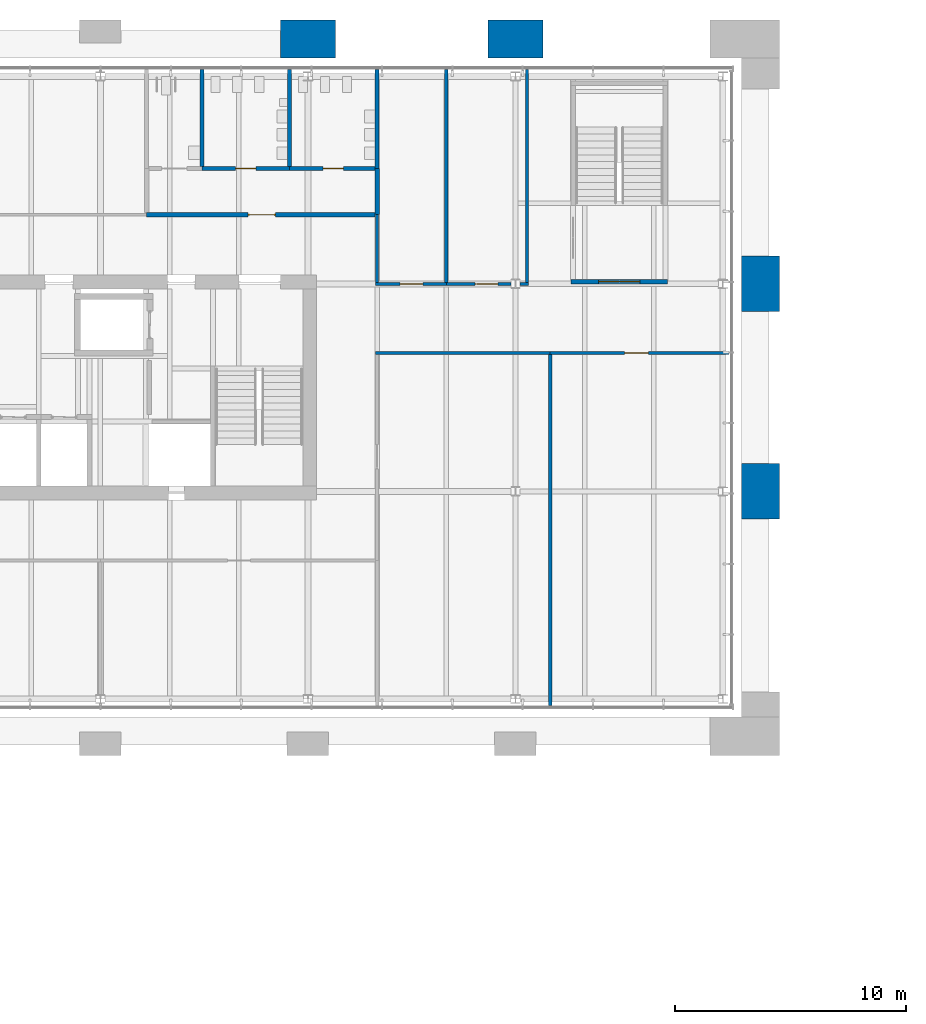
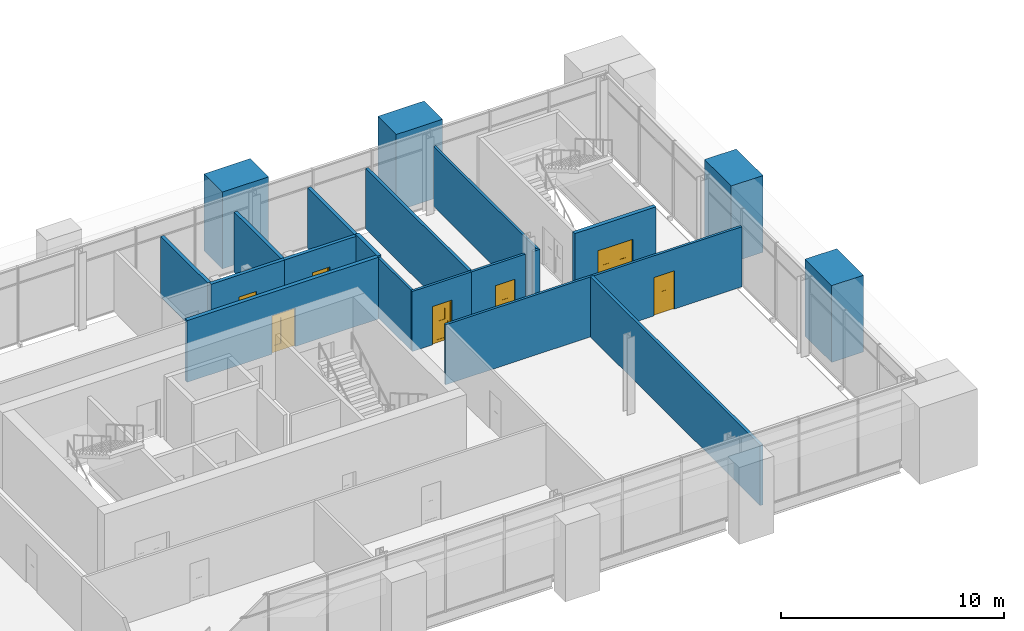
# One storey, part 25 of 43: 21 walls, 7 doors, 7 openings.
"""IFC4 building model written with IfcOpenShell, lengths in metres."""

from ifc_helpers import new_model, si_unit, direction, frame, frame_2d, origin, place, context, subcontext, project, spatial, polyline, rectangle, outline, extrude, material, layer, layer_set, type_object, element, fill, save


model = new_model("IFC4")

# Units and contexts
model_context = context("Model", 3, precision=1e-05, world=origin(), true_north=direction((0.0, 1.0)))
body_context = subcontext(model_context, "Body", "Model", "MODEL_VIEW")
ifc_project = project(units=[si_unit("LENGTHUNIT", "METRE"), si_unit("AREAUNIT", "SQUARE_METRE"), si_unit("VOLUMEUNIT", "CUBIC_METRE"), si_unit("PLANEANGLEUNIT", "RADIAN"), si_unit("MASSUNIT", "GRAM", prefix="KILO")], contexts=[model_context])

# Site, building, storey
site_placement = place(None, origin())
site = spatial("IfcSite", under=ifc_project, at=site_placement, CompositionType="ELEMENT")
building_placement = place(site_placement, origin())
building = spatial("IfcBuilding", under=site, at=building_placement, Name="Baradari Gate Terminus", CompositionType="ELEMENT")
storey_placement = place(building_placement, frame((0.0, 0.0, 20.10009765625)))
storey = spatial("IfcBuildingStorey", under=building, at=storey_placement, Name="L04", CompositionType="ELEMENT", Elevation=20.10009765625)

# Wall, opening, door
ifc_material_1 = material(Name="Gypsum board")
ifc_layer_1 = layer(ifc_material_1, 0.125)
ifc_layer_set_1 = layer_set([ifc_layer_1], Name="Gypsum board")
wall_type_1 = type_object("IfcWallType", Name="Corridor partition PT-5 125 EI 30", PredefinedType="PARTITIONING", material=ifc_layer_set_1)
wall_1_placement = place(storey_placement, frame((63.27001953125, 132.0, 0.0), z_axis=(0.0, 0.0, 1.0), x_axis=(-1.0, 0.0, 0.0)))
wall_1 = element("IfcWall", 1, at=wall_1_placement, inside=storey, type_object=wall_type_1, Name="PT-5 partition Corridor / Meeting Room 2", PredefinedType="PARTITIONING", context=body_context, shape_type="SweptSolid", body=[
    extrude(rectangle(XDim=7.77001953125, YDim=0.125, at=frame_2d((3.885009765625, 0.0))), origin(), (0.0, 0.0, 1.0), 3.286865234375),
])
opening_1_placement = place(wall_1_placement, frame((3.4951171875, 0.0, 0.0)))
opening_1 = element("IfcOpeningElement", 2, at=opening_1_placement, cuts=wall_1, Name="Opening D04-025", PredefinedType="OPENING", context=body_context, shape_type="SweptSolid", body=[
    extrude(rectangle(XDim=1.050048828125, YDim=2.10009765625, at=frame_2d((0.52490234375, 1.050048828125))), frame((0.0, 0.072509765625, 0.0), z_axis=(0.0, -1.0, 0.0), x_axis=(1.0, 0.0, 0.0)), (0.0, 0.0, 1.0), 0.14501953125),
])
ifc_material_2 = material(Name="Steel S275", Category="steel")
door_type_1 = type_object("IfcDoorType", Name="Fire door FI-1050-FD30S 1050x2100 FD30S", OperationType="SINGLE_SWING_LEFT", PredefinedType="DOOR", material=ifc_material_2)
door_1_placement = place(opening_1_placement, origin())
door_1 = element("IfcDoor", 3, at=door_1_placement, inside=storey, type_object=door_type_1, Name="Door Meeting Room 2", OperationType="SINGLE_SWING_RIGHT", OverallHeight=2.1, OverallWidth=1.05, PredefinedType="DOOR", context=body_context, shape_type="SweptSolid", body=[
    extrude(outline(polyline([(0.0, 0.0), (0.070068359375, 0.0), (0.070068359375, 2.030029296875), (0.97998046875, 2.030029296875), (0.97998046875, 0.0), (1.050048828125, 0.0), (1.050048828125, 2.10009765625), (0.0, 2.10009765625), (0.0, 0.0)])), frame((0.0, 0.02490234375, 0.0), z_axis=(0.0, -1.0, 0.0), x_axis=(1.0, 0.0, 0.0)), (0.0, 0.0, 1.0), 0.050048828125),
    extrude(outline(polyline([(0.073974609375, 0.010009765625), (0.97607421875, 0.010009765625), (0.97607421875, 2.026123046875), (0.073974609375, 2.026123046875), (0.073974609375, 0.010009765625)]), holes=[polyline([(0.194091796875, 0.159912109375), (0.85595703125, 0.159912109375), (0.85595703125, 1.010009765625), (0.194091796875, 1.010009765625), (0.194091796875, 0.159912109375)]), polyline([(0.375, 1.159912109375), (0.675048828125, 1.159912109375), (0.675048828125, 1.760009765625), (0.375, 1.760009765625), (0.375, 1.159912109375)])]), frame((0.0, 0.017333984375, 0.0), z_axis=(0.0, -1.0, 0.0), x_axis=(1.0, 0.0, 0.0)), (0.0, 0.0, 1.0), 0.034912109375),
    extrude(rectangle(XDim=0.661865234375, YDim=0.85009765625, at=frame_2d((0.52490234375, 0.5849609375))), frame((0.0, 0.008544921875, 0.0), z_axis=(0.0, -1.0, 0.0), x_axis=(1.0, 0.0, 0.0)), (0.0, 0.0, 1.0), 0.017333984375),
    extrude(rectangle(XDim=0.300048828125, YDim=0.60009765625, at=frame_2d((0.52490234375, 1.4599609375))), frame((0.0, 0.005859375, 0.0), z_axis=(0.0, -1.0, 0.0), x_axis=(1.0, 0.0, 0.0)), (0.0, 0.0, 1.0), 0.011962890625),
])
fill(opening_1, door_1)

# Wall
wall_2_placement = place(storey_placement, frame((55.5, 132.0, 0.0), z_axis=(0.0, 0.0, 1.0), x_axis=(-1.0, 0.0, 0.0)))
element("IfcWall", 4, at=wall_2_placement, inside=storey, type_object=wall_type_1, Name="PT-5 partition Corridor / Meeting Room 1", PredefinedType="PARTITIONING", context=body_context, shape_type="SweptSolid", body=[
    extrude(rectangle(XDim=7.5625, YDim=0.125, at=frame_2d((3.78125, 0.0))), origin(), (0.0, 0.0, 1.0), 3.286865234375),
])

# Wall, opening, door
wall_3_placement = place(storey_placement, frame((51.0, 135.0, 0.0), z_axis=(0.0, 0.0, 1.0), x_axis=(1.0, 0.0, 0.0)))
wall_3 = element("IfcWall", 5, at=wall_3_placement, inside=storey, type_object=wall_type_1, Name="PT-5 partition Corridor / Stationery Store", PredefinedType="PARTITIONING", context=body_context, shape_type="SweptSolid", body=[
    extrude(rectangle(XDim=2.798583984375, YDim=0.125, at=frame_2d((1.3994140625, 0.0))), origin(), (0.0, 0.0, 1.0), 3.286865234375),
])
opening_2_placement = place(wall_3_placement, frame((1.25, 0.0, 0.0)))
opening_2 = element("IfcOpeningElement", 6, at=opening_2_placement, cuts=wall_3, Name="Opening D04-030", PredefinedType="OPENING", context=body_context, shape_type="SweptSolid", body=[
    extrude(rectangle(XDim=1.0, YDim=2.10009765625, at=frame_2d((0.5, 1.050048828125))), frame((0.0, 0.072509765625, 0.0), z_axis=(0.0, -1.0, 0.0), x_axis=(1.0, 0.0, 0.0)), (0.0, 0.0, 1.0), 0.14501953125),
])
ifc_material_3 = material(Name="Steel S275", Category="steel")
door_type_2 = type_object("IfcDoorType", Name="Fire door FI-1000-FD30S 1000x2100 FD30S", OperationType="SINGLE_SWING_LEFT", PredefinedType="DOOR", material=ifc_material_3)
door_2_placement = place(opening_2_placement, origin())
door_2 = element("IfcDoor", 7, at=door_2_placement, inside=storey, type_object=door_type_2, Name="Door Stationery Store", OperationType="SINGLE_SWING_LEFT", OverallHeight=2.1, OverallWidth=1.0, PredefinedType="DOOR", context=body_context, shape_type="SweptSolid", body=[
    extrude(outline(polyline([(0.0, 0.0), (0.070068359375, 0.0), (0.070068359375, 2.030029296875), (0.929931640625, 2.030029296875), (0.929931640625, 0.0), (1.0, 0.0), (1.0, 2.10009765625), (0.0, 2.10009765625), (0.0, 0.0)])), frame((0.0, 0.02490234375, 0.0), z_axis=(0.0, -1.0, 0.0), x_axis=(1.0, 0.0, 0.0)), (0.0, 0.0, 1.0), 0.050048828125),
    extrude(outline(polyline([(0.073974609375, 0.010009765625), (0.926025390625, 0.010009765625), (0.926025390625, 2.026123046875), (0.073974609375, 2.026123046875), (0.073974609375, 0.010009765625)]), holes=[polyline([(0.194091796875, 0.159912109375), (0.805908203125, 0.159912109375), (0.805908203125, 1.010009765625), (0.194091796875, 1.010009765625), (0.194091796875, 0.159912109375)]), polyline([(0.35009765625, 1.159912109375), (0.64990234375, 1.159912109375), (0.64990234375, 1.760009765625), (0.35009765625, 1.760009765625), (0.35009765625, 1.159912109375)])]), frame((0.0, 0.017333984375, 0.0), z_axis=(0.0, -1.0, 0.0), x_axis=(1.0, 0.0, 0.0)), (0.0, 0.0, 1.0), 0.034912109375),
    extrude(rectangle(XDim=0.61181640625, YDim=0.85009765625, at=frame_2d((0.5, 0.5849609375))), frame((0.0, 0.008544921875, 0.0), z_axis=(0.0, -1.0, 0.0), x_axis=(1.0, 0.0, 0.0)), (0.0, 0.0, 1.0), 0.017333984375),
    extrude(rectangle(XDim=0.2998046875, YDim=0.60009765625, at=frame_2d((0.5, 1.4599609375))), frame((0.0, 0.005859375, 0.0), z_axis=(0.0, -1.0, 0.0), x_axis=(1.0, 0.0, 0.0)), (0.0, 0.0, 1.0), 0.011962890625),
])
fill(opening_2, door_2)

# Walls
wall_4_placement = place(storey_placement, frame((54.201416015625, 135.0, 0.0), z_axis=(0.0, 0.0, 1.0), x_axis=(1.0, 0.0, 0.0)))
element("IfcWall", 8, at=wall_4_placement, inside=storey, type_object=wall_type_1, Name="PT-5 partition Corridor / Stationery Store", PredefinedType="PARTITIONING", context=body_context, shape_type="SweptSolid", body=[
    extrude(rectangle(XDim=0.361083984375, YDim=0.125, at=frame_2d((0.1806640625, 0.0))), origin(), (0.0, 0.0, 1.0), 3.286865234375),
])
wall_5_placement = place(storey_placement, frame((48.0, 138.0, 0.0), z_axis=(0.0, 0.0, 1.0), x_axis=(0.0, -1.0, 0.0)))
element("IfcWall", 9, at=wall_5_placement, inside=storey, type_object=wall_type_1, Name="PT-5 partition Corridor / Tea Point", PredefinedType="PARTITIONING", context=body_context, shape_type="SweptSolid", body=[
    extrude(rectangle(XDim=2.9375, YDim=0.125, at=frame_2d((1.46875, 0.0))), origin(), (0.0, 0.0, 1.0), 3.286865234375),
])

# Wall, opening, door
wall_6_placement = place(storey_placement, frame((47.9375, 135.0, 0.0), z_axis=(0.0, 0.0, 1.0), x_axis=(1.0, 0.0, 0.0)))
wall_6 = element("IfcWall", 10, at=wall_6_placement, inside=storey, type_object=wall_type_1, Name="PT-5 partition Corridor / Tea Point", PredefinedType="PARTITIONING", context=body_context, shape_type="SweptSolid", body=[
    extrude(rectangle(XDim=3.0625, YDim=0.125, at=frame_2d((1.53125, 0.0))), origin(), (0.0, 0.0, 1.0), 3.286865234375),
])
opening_3_placement = place(wall_6_placement, frame((1.0625, 0.0, 0.0)))
opening_3 = element("IfcOpeningElement", 11, at=opening_3_placement, cuts=wall_6, Name="Opening D04-029", PredefinedType="OPENING", context=body_context, shape_type="SweptSolid", body=[
    extrude(rectangle(XDim=1.0, YDim=2.10009765625, at=frame_2d((0.5, 1.050048828125))), frame((0.0, 0.072509765625, 0.0), z_axis=(0.0, -1.0, 0.0), x_axis=(1.0, 0.0, 0.0)), (0.0, 0.0, 1.0), 0.14501953125),
])
door_3_placement = place(opening_3_placement, origin())
door_3 = element("IfcDoor", 12, at=door_3_placement, inside=storey, type_object=door_type_2, Name="Door Tea Point", OperationType="SINGLE_SWING_LEFT", OverallHeight=2.1, OverallWidth=1.0, PredefinedType="DOOR", context=body_context, shape_type="SweptSolid", body=[
    extrude(outline(polyline([(0.0, 0.0), (0.070068359375, 0.0), (0.070068359375, 2.030029296875), (0.929931640625, 2.030029296875), (0.929931640625, 0.0), (1.0, 0.0), (1.0, 2.10009765625), (0.0, 2.10009765625), (0.0, 0.0)])), frame((0.0, 0.02490234375, 0.0), z_axis=(0.0, -1.0, 0.0), x_axis=(1.0, 0.0, 0.0)), (0.0, 0.0, 1.0), 0.050048828125),
    extrude(outline(polyline([(0.073974609375, 0.010009765625), (0.926025390625, 0.010009765625), (0.926025390625, 2.026123046875), (0.073974609375, 2.026123046875), (0.073974609375, 0.010009765625)]), holes=[polyline([(0.194091796875, 0.159912109375), (0.805908203125, 0.159912109375), (0.805908203125, 1.010009765625), (0.194091796875, 1.010009765625), (0.194091796875, 0.159912109375)]), polyline([(0.35009765625, 1.159912109375), (0.64990234375, 1.159912109375), (0.64990234375, 1.760009765625), (0.35009765625, 1.760009765625), (0.35009765625, 1.159912109375)])]), frame((0.0, 0.017333984375, 0.0), z_axis=(0.0, -1.0, 0.0), x_axis=(1.0, 0.0, 0.0)), (0.0, 0.0, 1.0), 0.034912109375),
    extrude(rectangle(XDim=0.61181640625, YDim=0.85009765625, at=frame_2d((0.5, 0.5849609375))), frame((0.0, 0.008544921875, 0.0), z_axis=(0.0, -1.0, 0.0), x_axis=(1.0, 0.0, 0.0)), (0.0, 0.0, 1.0), 0.017333984375),
    extrude(rectangle(XDim=0.2998046875, YDim=0.60009765625, at=frame_2d((0.5, 1.4599609375))), frame((0.0, 0.005859375, 0.0), z_axis=(0.0, -1.0, 0.0), x_axis=(1.0, 0.0, 0.0)), (0.0, 0.0, 1.0), 0.011962890625),
])
fill(opening_3, door_3)

# Wall
wall_7_placement = place(storey_placement, frame((54.5, 135.0625, 0.0), z_axis=(0.0, 0.0, 1.0), x_axis=(0.0, 1.0, 0.0)))
element("IfcWall", 13, at=wall_7_placement, inside=storey, type_object=wall_type_1, Name="PT-5 partition Corridor (Stair Passage) / Stationery Store", PredefinedType="PARTITIONING", context=body_context, shape_type="SweptSolid", body=[
    extrude(rectangle(XDim=9.232421875, YDim=0.125, at=frame_2d((4.6162109375, 0.0))), origin(), (0.0, 0.0, 1.0), 3.286865234375),
])

# Wall, opening, door
ifc_material_4 = material(Name="Blockwork wall, plastered, fire rated", Category="masonry")
ifc_layer_2 = layer(ifc_material_4, 0.199951171875)
ifc_layer_set_2 = layer_set([ifc_layer_2], Name="Blockwork wall, plastered, fire rated")
wall_type_2 = type_object("IfcWallType", Name="Lobby partition PT-4 200 EI 60", PredefinedType="PARTITIONING", material=ifc_layer_set_2)
wall_8_placement = place(storey_placement, frame((38.0, 138.0, 0.0), z_axis=(0.0, 0.0, 1.0), x_axis=(1.0, 0.0, 0.0)))
wall_8 = element("IfcWall", 14, at=wall_8_placement, inside=storey, type_object=wall_type_2, Name="PT-4 partition Corridor / WC Lobby", PredefinedType="PARTITIONING", context=body_context, shape_type="SweptSolid", body=[
    extrude(rectangle(XDim=9.89990234375, YDim=0.199951171875, at=frame_2d((4.949951171875, 0.0))), origin(), (0.0, 0.0, 1.0), 3.3818359375),
])
opening_4_placement = place(wall_8_placement, frame((4.39990234375, 0.0, 0.0)))
opening_4 = element("IfcOpeningElement", 15, at=opening_4_placement, cuts=wall_8, Name="Opening D04-015", PredefinedType="OPENING", context=body_context, shape_type="SweptSolid", body=[
    extrude(rectangle(XDim=1.199951171875, YDim=2.10009765625, at=frame_2d((0.60009765625, 1.050048828125))), frame((0.0, 0.10986328125, 0.0), z_axis=(0.0, -1.0, 0.0), x_axis=(1.0, 0.0, 0.0)), (0.0, 0.0, 1.0), 0.219970703125),
])
ifc_material_5 = material(Name="Steel S275", Category="steel")
door_type_3 = type_object("IfcDoorType", Name="Fire door FI-1200-FD60S 1200x2100 FD60S", OperationType="DOUBLE_DOOR_SINGLE_SWING", PredefinedType="DOOR", material=ifc_material_5)
door_4_placement = place(opening_4_placement, origin())
door_4 = element("IfcDoor", 16, at=door_4_placement, inside=storey, type_object=door_type_3, Name="Door WC Lobby", OperationType="DOUBLE_DOOR_SINGLE_SWING", OverallHeight=2.1, OverallWidth=1.2, PredefinedType="DOOR", context=body_context, shape_type="SweptSolid", body=[
    extrude(outline(polyline([(0.0, 0.0), (0.070068359375, 0.0), (0.070068359375, 2.030029296875), (1.1298828125, 2.030029296875), (1.1298828125, 0.0), (1.199951171875, 0.0), (1.199951171875, 2.10009765625), (0.0, 2.10009765625), (0.0, 0.0)])), frame((0.0, 0.02490234375, 0.0), z_axis=(0.0, -1.0, 0.0), x_axis=(1.0, 0.0, 0.0)), (0.0, 0.0, 1.0), 0.050048828125),
    extrude(outline(polyline([(0.073974609375, 0.010009765625), (0.596923828125, 0.010009765625), (0.596923828125, 2.026123046875), (0.073974609375, 2.026123046875), (0.073974609375, 0.010009765625)]), holes=[polyline([(0.178466796875, 0.372802734375), (0.492431640625, 0.372802734375), (0.492431640625, 1.7841796875), (0.178466796875, 1.7841796875), (0.178466796875, 0.372802734375)])]), frame((0.0, 0.017333984375, 0.0), z_axis=(0.0, -1.0, 0.0), x_axis=(1.0, 0.0, 0.0)), (0.0, 0.0, 1.0), 0.034912109375),
    extrude(rectangle(XDim=0.31396484375, YDim=1.411376953125, at=frame_2d((0.33544921875, 1.07861328125))), frame((0.0, 0.008544921875, 0.0), z_axis=(0.0, -1.0, 0.0), x_axis=(1.0, 0.0, 0.0)), (0.0, 0.0, 1.0), 0.017333984375),
    extrude(outline(polyline([(0.60302734375, 0.010009765625), (1.1259765625, 0.010009765625), (1.1259765625, 2.026123046875), (0.60302734375, 2.026123046875), (0.60302734375, 0.010009765625)]), holes=[polyline([(0.70751953125, 0.372802734375), (1.021484375, 0.372802734375), (1.021484375, 1.7841796875), (0.70751953125, 1.7841796875), (0.70751953125, 0.372802734375)])]), frame((0.0, 0.017333984375, 0.0), z_axis=(0.0, -1.0, 0.0), x_axis=(1.0, 0.0, 0.0)), (0.0, 0.0, 1.0), 0.034912109375),
    extrude(rectangle(XDim=0.31396484375, YDim=1.411376953125, at=frame_2d((0.864501953125, 1.07861328125))), frame((0.0, 0.008544921875, 0.0), z_axis=(0.0, -1.0, 0.0), x_axis=(1.0, 0.0, 0.0)), (0.0, 0.0, 1.0), 0.017333984375),
])
fill(opening_4, door_4)

# Walls
wall_9_placement = place(storey_placement, frame((48.0, 140.0, 0.0), z_axis=(0.0, 0.0, 1.0), x_axis=(0.0, -1.0, 0.0)))
element("IfcWall", 17, at=wall_9_placement, inside=storey, type_object=wall_type_2, Name="PT-4 partition WC Lobby / Tea Point", PredefinedType="PARTITIONING", context=body_context, shape_type="SweptSolid", body=[
    extrude(rectangle(XDim=2.0, YDim=0.199951171875, at=frame_2d((1.0, 0.0))), origin(), (0.0, 0.0, 1.0), 3.3818359375),
])
ifc_material_6 = material(Name="Blockwork wall, plastered", Category="masonry")
ifc_layer_3 = layer(ifc_material_6, 0.14990234375)
ifc_layer_set_3 = layer_set([ifc_layer_3], Name="Blockwork wall, plastered")
wall_type_3 = type_object("IfcWallType", Name="Partition PT-2 150 EI 60", PredefinedType="PARTITIONING", material=ifc_layer_set_3)
wall_10_placement = place(storey_placement, frame((55.5, 131.9375, 0.0), z_axis=(0.0, 0.0, 1.0), x_axis=(0.0, -1.0, 0.0)))
element("IfcWall", 18, at=wall_10_placement, inside=storey, type_object=wall_type_3, Name="PT-2 partition Meeting Room 1 / Meeting Room 2", PredefinedType="PARTITIONING", context=body_context, shape_type="SweptSolid", body=[
    extrude(rectangle(XDim=15.232421875, YDim=0.14990234375, at=frame_2d((7.6162109375, 0.0))), origin(), (0.0, 0.0, 1.0), 3.306884765625),
])
wall_11_placement = place(storey_placement, frame((51.0, 144.294921875, 0.0), z_axis=(0.0, 0.0, 1.0), x_axis=(0.0, -1.0, 0.0)))
element("IfcWall", 19, at=wall_11_placement, inside=storey, type_object=wall_type_3, Name="PT-2 partition Tea Point / Stationery Store", PredefinedType="PARTITIONING", context=body_context, shape_type="SweptSolid", body=[
    extrude(rectangle(XDim=9.232421875, YDim=0.14990234375, at=frame_2d((4.6162109375, 0.0))), origin(), (0.0, 0.0, 1.0), 3.306884765625),
])
ifc_material_7 = material(Name="Concrete C40/50 precast", Category="concrete")
ifc_layer_4 = layer(ifc_material_7, 1.55)
ifc_material_8 = material(Name="Sandstone cladding", Category="masonry")
ifc_layer_5 = layer(ifc_material_8, 0.1)
ifc_layer_set_4 = layer_set([ifc_layer_4, ifc_layer_5], Name="Concrete C40/50 precast")
wall_type_4 = type_object("IfcWallType", Name="Sandstone-faced precast frame pier WQ-4 1650", PredefinedType="SOLIDWALL", material=ifc_layer_set_4)
for number, where, z_axis, x_axis, name in (
    (20, (43.800048828125, 145.6201171875, 0.0), (0.0, 0.0, 1.0), (1.0, 0.0, 0.0), "Frame pier N face bay 2 a L04"),
    (21, (52.800048828125, 145.6201171875, 0.0), (0.0, 0.0, 1.0), (1.0, 0.0, 0.0), "Frame pier N face bay 2 b L04"),
    (22, (64.6201171875, 124.800048828125, 0.0), (0.0, 0.0, 1.0), (0.0, 1.0, 0.0), "Frame pier E face bay 1 a L04"),
    (23, (64.6201171875, 133.800048828125, 0.0), (0.0, 0.0, 1.0), (0.0, 1.0, 0.0), "Frame pier E face bay 1 b L04"),
):
    element("IfcWall", number, at=place(storey_placement, frame(where, z_axis=z_axis, x_axis=x_axis)), inside=storey, type_object=wall_type_4, Name=name, PredefinedType="SOLIDWALL", context=body_context, shape_type="SweptSolid", body=[
        extrude(rectangle(XDim=2.39990234375, YDim=1.64990234375, at=frame_2d((1.199951171875, 0.0))), origin(), (0.0, 0.0, 1.0), 4.199951171875),
    ])

# Wall, opening, door
ifc_material_9 = material(Name="Concrete C40/50", Category="concrete")
ifc_layer_6 = layer(ifc_material_9, 0.199951171875)
ifc_layer_set_5 = layer_set([ifc_layer_6], Name="Concrete C40/50")
wall_type_5 = type_object("IfcWallType", Name="Stair enclosure wall SE-2 200 EI 120", PredefinedType="SOLIDWALL", material=ifc_layer_set_5)
wall_12_placement = place(storey_placement, frame((56.39990234375, 135.10009765625, -0.130126953125), z_axis=(0.0, 0.0, 1.0), x_axis=(1.0, 0.0, 0.0)))
wall_12 = element("IfcWall", 24, at=wall_12_placement, inside=storey, type_object=wall_type_5, Name="Stair enclosure wall SE-2 ST-T3 L04 S", PredefinedType="SOLIDWALL", context=body_context, shape_type="SweptSolid", body=[
    extrude(rectangle(XDim=4.2001953125, YDim=0.199951171875, at=frame_2d((2.10009765625, 0.0))), origin(), (0.0, 0.0, 1.0), 3.5869140625),
])
opening_5_placement = place(wall_12_placement, frame((1.199951171875, 0.0, 0.1298828125)))
opening_5 = element("IfcOpeningElement", 25, at=opening_5_placement, cuts=wall_12, Name="Opening D04-014", PredefinedType="OPENING", context=body_context, shape_type="SweptSolid", body=[
    extrude(rectangle(XDim=1.800048828125, YDim=2.10009765625, at=frame_2d((0.89990234375, 1.050048828125))), frame((0.0, 0.10986328125, 0.0), z_axis=(0.0, -1.0, 0.0), x_axis=(1.0, 0.0, 0.0)), (0.0, 0.0, 1.0), 0.219970703125),
])
ifc_material_10 = material(Name="Steel S275", Category="steel")
door_type_4 = type_object("IfcDoorType", Name="Fire door FI-1800-FD90S 1800x2100 FD90S", OperationType="DOUBLE_DOOR_SINGLE_SWING", PredefinedType="DOOR", material=ifc_material_10)
door_5_placement = place(opening_5_placement, origin())
door_5 = element("IfcDoor", 26, at=door_5_placement, inside=storey, type_object=door_type_4, Name="Door Stair (East Core)", OperationType="DOUBLE_DOOR_SINGLE_SWING", OverallHeight=2.1, OverallWidth=1.8, PredefinedType="DOOR", context=body_context, shape_type="SweptSolid", body=[
    extrude(outline(polyline([(0.0, 0.0), (0.070068359375, 0.0), (0.070068359375, 2.030029296875), (1.72998046875, 2.030029296875), (1.72998046875, 0.0), (1.800048828125, 0.0), (1.800048828125, 2.10009765625), (0.0, 2.10009765625), (0.0, 0.0)])), frame((0.0, 0.02490234375, 0.0), z_axis=(0.0, -1.0, 0.0), x_axis=(1.0, 0.0, 0.0)), (0.0, 0.0, 1.0), 0.050048828125),
    extrude(outline(polyline([(0.073974609375, 0.010009765625), (0.89697265625, 0.010009765625), (0.89697265625, 2.026123046875), (0.073974609375, 2.026123046875), (0.073974609375, 0.010009765625)]), holes=[polyline([(0.194091796875, 0.159912109375), (0.77685546875, 0.159912109375), (0.77685546875, 1.010009765625), (0.194091796875, 1.010009765625), (0.194091796875, 0.159912109375)]), polyline([(0.33544921875, 1.159912109375), (0.635498046875, 1.159912109375), (0.635498046875, 1.760009765625), (0.33544921875, 1.760009765625), (0.33544921875, 1.159912109375)])]), frame((0.0, 0.017333984375, 0.0), z_axis=(0.0, -1.0, 0.0), x_axis=(1.0, 0.0, 0.0)), (0.0, 0.0, 1.0), 0.034912109375),
    extrude(rectangle(XDim=0.582763671875, YDim=0.85009765625, at=frame_2d((0.4853515625, 0.5849609375))), frame((0.0, 0.008544921875, 0.0), z_axis=(0.0, -1.0, 0.0), x_axis=(1.0, 0.0, 0.0)), (0.0, 0.0, 1.0), 0.017333984375),
    extrude(rectangle(XDim=0.300048828125, YDim=0.60009765625, at=frame_2d((0.4853515625, 1.4599609375))), frame((0.0, 0.005859375, 0.0), z_axis=(0.0, -1.0, 0.0), x_axis=(1.0, 0.0, 0.0)), (0.0, 0.0, 1.0), 0.011962890625),
    extrude(outline(polyline([(0.903076171875, 0.010009765625), (1.72607421875, 0.010009765625), (1.72607421875, 2.026123046875), (0.903076171875, 2.026123046875), (0.903076171875, 0.010009765625)]), holes=[polyline([(1.023193359375, 0.159912109375), (1.60595703125, 0.159912109375), (1.60595703125, 1.010009765625), (1.023193359375, 1.010009765625), (1.023193359375, 0.159912109375)]), polyline([(1.16455078125, 1.159912109375), (1.464599609375, 1.159912109375), (1.464599609375, 1.760009765625), (1.16455078125, 1.760009765625), (1.16455078125, 1.159912109375)])]), frame((0.0, 0.017333984375, 0.0), z_axis=(0.0, -1.0, 0.0), x_axis=(1.0, 0.0, 0.0)), (0.0, 0.0, 1.0), 0.034912109375),
    extrude(rectangle(XDim=0.582763671875, YDim=0.85009765625, at=frame_2d((1.314453125, 0.5849609375))), frame((0.0, 0.008544921875, 0.0), z_axis=(0.0, -1.0, 0.0), x_axis=(1.0, 0.0, 0.0)), (0.0, 0.0, 1.0), 0.017333984375),
    extrude(rectangle(XDim=0.300048828125, YDim=0.60009765625, at=frame_2d((1.314453125, 1.4599609375))), frame((0.0, 0.005859375, 0.0), z_axis=(0.0, -1.0, 0.0), x_axis=(1.0, 0.0, 0.0)), (0.0, 0.0, 1.0), 0.011962890625),
])
fill(opening_5, door_5)

ifc_material_11 = material(Name="Blockwork wall, tiled both faces", Category="masonry")
ifc_layer_7 = layer(ifc_material_11, 0.175048828125)
ifc_layer_set_6 = layer_set([ifc_layer_7], Name="Blockwork wall, tiled both faces")
wall_type_6 = type_object("IfcWallType", Name="WC wet wall PT-6 175 EI 60", PredefinedType="PARTITIONING", material=ifc_layer_set_6)
wall_13_placement = place(storey_placement, frame((44.199951171875, 140.0, 0.0), z_axis=(0.0, 0.0, 1.0), x_axis=(1.0, 0.0, 0.0)))
wall_13 = element("IfcWall", 27, at=wall_13_placement, inside=storey, type_object=wall_type_6, Name="PT-6 partition WC Lobby / Female WC", PredefinedType="PARTITIONING", context=body_context, shape_type="SweptSolid", body=[
    extrude(rectangle(XDim=3.699951171875, YDim=0.175048828125, at=frame_2d((1.85009765625, 0.0))), origin(), (0.0, 0.0, 1.0), 3.306884765625),
])
opening_6_placement = place(wall_13_placement, frame((1.449951171875, 0.0, 0.0)))
opening_6 = element("IfcOpeningElement", 28, at=opening_6_placement, cuts=wall_13, Name="Opening D04-018", PredefinedType="OPENING", context=body_context, shape_type="SweptSolid", body=[
    extrude(rectangle(XDim=0.89990234375, YDim=2.10009765625, at=frame_2d((0.449951171875, 1.050048828125))), frame((0.0, 0.097412109375, 0.0), z_axis=(0.0, -1.0, 0.0), x_axis=(1.0, 0.0, 0.0)), (0.0, 0.0, 1.0), 0.195068359375),
])
ifc_material_12 = material(Name="Steel S275", Category="steel")
door_type_5 = type_object("IfcDoorType", Name="Fire door FI-900-FD60S 900x2100 FD60S", OperationType="SINGLE_SWING_LEFT", PredefinedType="DOOR", material=ifc_material_12)
door_6_placement = place(opening_6_placement, origin())
door_6 = element("IfcDoor", 29, at=door_6_placement, inside=storey, type_object=door_type_5, Name="Door Female WC", OperationType="SINGLE_SWING_LEFT", OverallHeight=2.1, OverallWidth=0.9, PredefinedType="DOOR", context=body_context, shape_type="SweptSolid", body=[
    extrude(outline(polyline([(0.0, 0.0), (0.070068359375, 0.0), (0.070068359375, 2.030029296875), (0.829833984375, 2.030029296875), (0.829833984375, 0.0), (0.89990234375, 0.0), (0.89990234375, 2.10009765625), (0.0, 2.10009765625), (0.0, 0.0)])), frame((0.0, 0.02490234375, 0.0), z_axis=(0.0, -1.0, 0.0), x_axis=(1.0, 0.0, 0.0)), (0.0, 0.0, 1.0), 0.050048828125),
    extrude(outline(polyline([(0.073974609375, 0.010009765625), (0.825927734375, 0.010009765625), (0.825927734375, 2.026123046875), (0.073974609375, 2.026123046875), (0.073974609375, 0.010009765625)]), holes=[polyline([(0.194091796875, 0.159912109375), (0.705810546875, 0.159912109375), (0.705810546875, 1.010009765625), (0.194091796875, 1.010009765625), (0.194091796875, 0.159912109375)]), polyline([(0.300048828125, 1.159912109375), (0.599853515625, 1.159912109375), (0.599853515625, 1.760009765625), (0.300048828125, 1.760009765625), (0.300048828125, 1.159912109375)])]), frame((0.0, 0.017333984375, 0.0), z_axis=(0.0, -1.0, 0.0), x_axis=(1.0, 0.0, 0.0)), (0.0, 0.0, 1.0), 0.034912109375),
    extrude(rectangle(XDim=0.51171875, YDim=0.85009765625, at=frame_2d((0.449951171875, 0.5849609375))), frame((0.0, 0.008544921875, 0.0), z_axis=(0.0, -1.0, 0.0), x_axis=(1.0, 0.0, 0.0)), (0.0, 0.0, 1.0), 0.017333984375),
    extrude(rectangle(XDim=0.2998046875, YDim=0.60009765625, at=frame_2d((0.449951171875, 1.4599609375))), frame((0.0, 0.005859375, 0.0), z_axis=(0.0, -1.0, 0.0), x_axis=(1.0, 0.0, 0.0)), (0.0, 0.0, 1.0), 0.011962890625),
])
fill(opening_6, door_6)

wall_14_placement = place(storey_placement, frame((40.39990234375, 140.0, 0.0), z_axis=(0.0, 0.0, 1.0), x_axis=(1.0, 0.0, 0.0)))
wall_14 = element("IfcWall", 30, at=wall_14_placement, inside=storey, type_object=wall_type_6, Name="PT-6 partition WC Lobby / Male WC", PredefinedType="PARTITIONING", context=body_context, shape_type="SweptSolid", body=[
    extrude(rectangle(XDim=3.800048828125, YDim=0.175048828125, at=frame_2d((1.89990234375, 0.0))), origin(), (0.0, 0.0, 1.0), 3.306884765625),
])
opening_7_placement = place(wall_14_placement, frame((1.449951171875, 0.0, 0.0)))
opening_7 = element("IfcOpeningElement", 31, at=opening_7_placement, cuts=wall_14, Name="Opening D04-017", PredefinedType="OPENING", context=body_context, shape_type="SweptSolid", body=[
    extrude(rectangle(XDim=0.89990234375, YDim=2.10009765625, at=frame_2d((0.449951171875, 1.050048828125))), frame((0.0, 0.097412109375, 0.0), z_axis=(0.0, -1.0, 0.0), x_axis=(1.0, 0.0, 0.0)), (0.0, 0.0, 1.0), 0.195068359375),
])
door_7_placement = place(opening_7_placement, origin())
door_7 = element("IfcDoor", 32, at=door_7_placement, inside=storey, type_object=door_type_5, Name="Door Male WC", OperationType="SINGLE_SWING_LEFT", OverallHeight=2.1, OverallWidth=0.9, PredefinedType="DOOR", context=body_context, shape_type="SweptSolid", body=[
    extrude(outline(polyline([(0.0, 0.0), (0.070068359375, 0.0), (0.070068359375, 2.030029296875), (0.829833984375, 2.030029296875), (0.829833984375, 0.0), (0.89990234375, 0.0), (0.89990234375, 2.10009765625), (0.0, 2.10009765625), (0.0, 0.0)])), frame((0.0, 0.02490234375, 0.0), z_axis=(0.0, -1.0, 0.0), x_axis=(1.0, 0.0, 0.0)), (0.0, 0.0, 1.0), 0.050048828125),
    extrude(outline(polyline([(0.073974609375, 0.010009765625), (0.825927734375, 0.010009765625), (0.825927734375, 2.026123046875), (0.073974609375, 2.026123046875), (0.073974609375, 0.010009765625)]), holes=[polyline([(0.194091796875, 0.159912109375), (0.705810546875, 0.159912109375), (0.705810546875, 1.010009765625), (0.194091796875, 1.010009765625), (0.194091796875, 0.159912109375)]), polyline([(0.300048828125, 1.159912109375), (0.599853515625, 1.159912109375), (0.599853515625, 1.760009765625), (0.300048828125, 1.760009765625), (0.300048828125, 1.159912109375)])]), frame((0.0, 0.017333984375, 0.0), z_axis=(0.0, -1.0, 0.0), x_axis=(1.0, 0.0, 0.0)), (0.0, 0.0, 1.0), 0.034912109375),
    extrude(rectangle(XDim=0.51171875, YDim=0.85009765625, at=frame_2d((0.449951171875, 0.5849609375))), frame((0.0, 0.008544921875, 0.0), z_axis=(0.0, -1.0, 0.0), x_axis=(1.0, 0.0, 0.0)), (0.0, 0.0, 1.0), 0.017333984375),
    extrude(rectangle(XDim=0.2998046875, YDim=0.60009765625, at=frame_2d((0.449951171875, 1.4599609375))), frame((0.0, 0.005859375, 0.0), z_axis=(0.0, -1.0, 0.0), x_axis=(1.0, 0.0, 0.0)), (0.0, 0.0, 1.0), 0.011962890625),
])
fill(opening_7, door_7)

# Walls
for number, where, z_axis, x_axis, name in (
    (33, (40.39990234375, 144.294921875, 0.0), (0.0, 0.0, 1.0), (0.0, -1.0, 0.0), "PT-6 partition Accessible WC / Male WC"),
    (34, (44.199951171875, 144.294921875, 0.0), (0.0, 0.0, 1.0), (0.0, -1.0, 0.0), "PT-6 partition Male WC / Female WC"),
):
    element("IfcWall", number, at=place(storey_placement, frame(where, z_axis=z_axis, x_axis=x_axis)), inside=storey, type_object=wall_type_6, Name=name, PredefinedType="PARTITIONING", context=body_context, shape_type="SweptSolid", body=[
        extrude(rectangle(XDim=4.20751953125, YDim=0.175048828125, at=frame_2d((2.103759765625, 0.0))), origin(), (0.0, 0.0, 1.0), 3.306884765625),
    ])
wall_15_placement = place(storey_placement, frame((48.0, 144.294921875, 0.0), z_axis=(0.0, 0.0, 1.0), x_axis=(0.0, -1.0, 0.0)))
element("IfcWall", 35, at=wall_15_placement, inside=storey, type_object=wall_type_6, Name="PT-6 partition Female WC / Tea Point", PredefinedType="PARTITIONING", context=body_context, shape_type="SweptSolid", body=[
    extrude(rectangle(XDim=4.294921875, YDim=0.175048828125, at=frame_2d((2.1474609375, 0.0))), origin(), (0.0, 0.0, 1.0), 3.306884765625),
])

save(model, "model.ifc")
